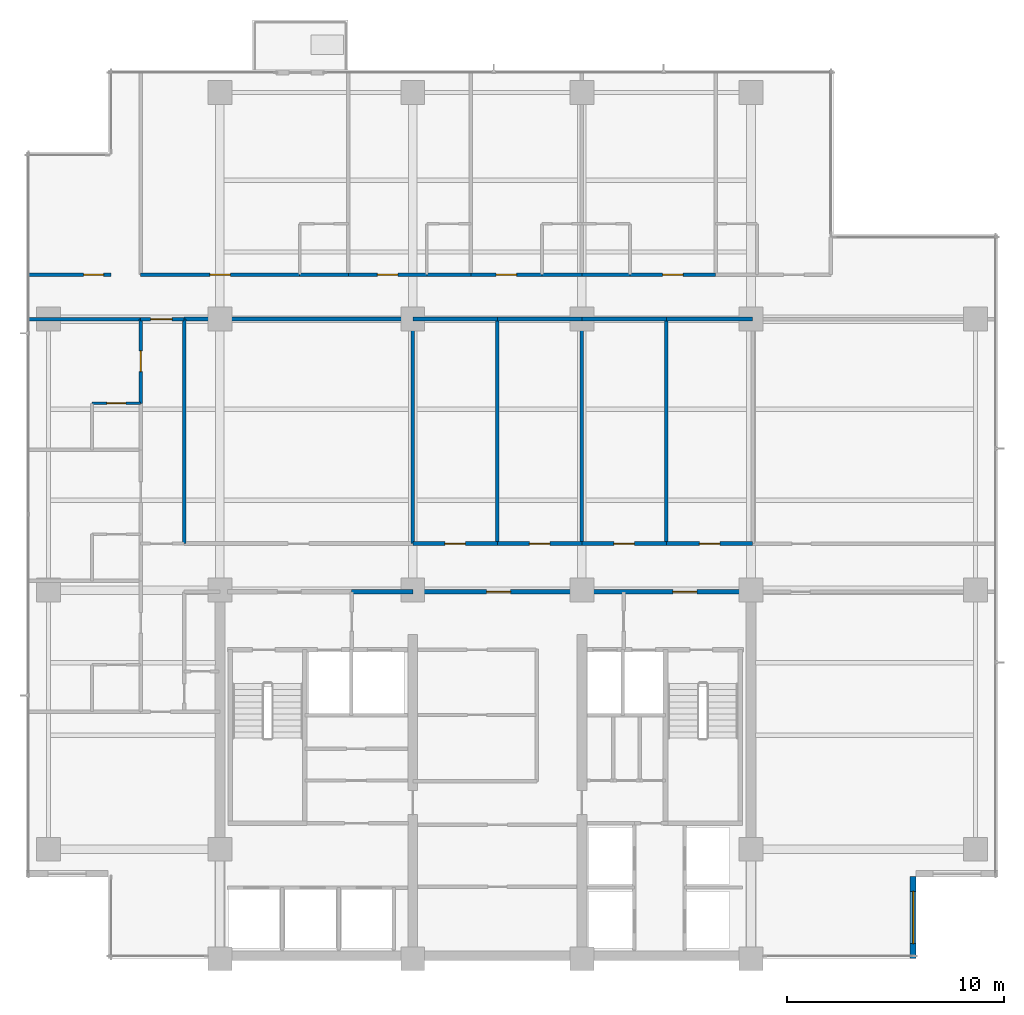
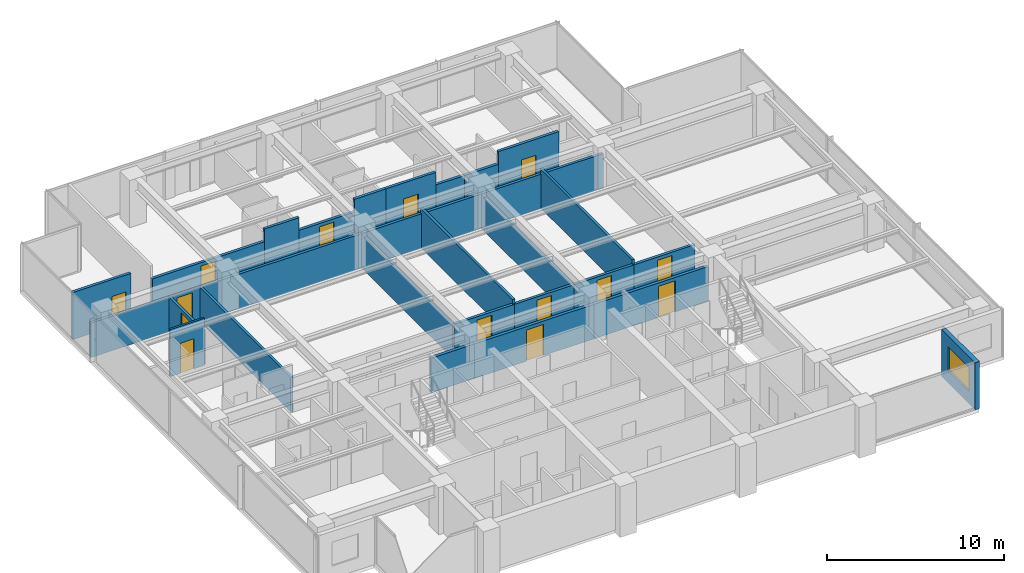
# One storey, part 9 of 14: 31 walls, 14 doors, 1 window, 15 openings.
"""IFC4 building model written with IfcOpenShell, lengths in metres."""

from ifc_helpers import new_model, si_unit, direction, frame, frame_2d, origin, place, context, subcontext, project, spatial, rectangle, extrude, material, layer, layer_set, type_object, element, fill, save


model = new_model("IFC4")

# Units and contexts
model_context = context("Model", 3, precision=1e-05, world=origin(), true_north=direction((0.0, 1.0)))
body_context = subcontext(model_context, "Body", "Model", "MODEL_VIEW")
ifc_project = project(units=[si_unit("LENGTHUNIT", "METRE"), si_unit("AREAUNIT", "SQUARE_METRE"), si_unit("VOLUMEUNIT", "CUBIC_METRE"), si_unit("PLANEANGLEUNIT", "RADIAN"), si_unit("MASSUNIT", "GRAM", prefix="KILO")], contexts=[model_context])

# Site, building, storey
site_placement = place(None, origin())
site = spatial("IfcSite", under=ifc_project, at=site_placement, CompositionType="ELEMENT")
building_placement = place(site_placement, origin())
building = spatial("IfcBuilding", under=site, at=building_placement, Name="Qalmaran Belvedere Hotel", CompositionType="ELEMENT")
storey_placement = place(building_placement, frame((0.0, 0.0, 156.10009765625)))
storey = spatial("IfcBuildingStorey", under=building, at=storey_placement, Name="L39", CompositionType="ELEMENT", Elevation=156.10009765625)

# Wall, opening, window
ifc_material_1 = material(Name="Anodised Bronze Cladding")
ifc_layer_1 = layer(ifc_material_1, 0.280029296875, Name="Anodised Bronze Cladding")
ifc_layer_set_1 = layer_set([ifc_layer_1], Name="Anodised Bronze Cladding")
wall_type_1 = type_object("IfcWallType", Name="WL-EXT-BRNZ-280", PredefinedType="SOLIDWALL", material=ifc_layer_set_1)
wall_1_placement = place(storey_placement, frame((52.280029296875, 3.5, 0.0), z_axis=(0.0, 0.0, 1.0), x_axis=(0.0, 1.0, 0.0)))
wall_1 = element("IfcWall", 1, at=wall_1_placement, inside=storey, type_object=wall_type_1, Name="L39 Corner Notch Wall 1", PredefinedType="SOLIDWALL", context=body_context, shape_type="SweptSolid", body=[
    extrude(rectangle(XDim=3.800048828125, YDim=0.280029296875, at=frame_2d((1.89990234375, 0.0))), origin(), (0.0, 0.0, 1.0), 3.25),
])
opening_1_placement = place(wall_1_placement, frame((0.699951171875, 0.0, 0.85009765625)))
opening_1 = element("IfcOpeningElement", 2, at=opening_1_placement, cuts=wall_1, Name="Opening W-N24", PredefinedType="OPENING", context=body_context, shape_type="SweptSolid", body=[
    extrude(rectangle(XDim=2.39990234375, YDim=1.64990234375, at=frame_2d((1.199951171875, 0.824951171875))), frame((0.0, 0.14990234375, 0.0), z_axis=(0.0, -1.0, 0.0), x_axis=(1.0, 0.0, 0.0)), (0.0, 0.0, 1.0), 0.300048828125),
])
ifc_material_2 = material(Name="Solar-Control Double Glazing", Category="glass")
window_type = type_object("IfcWindowType", Name="WN-NTC-2400X1650", PartitioningType="SINGLE_PANEL", PredefinedType="WINDOW", material=ifc_material_2)
window_placement = place(opening_1_placement, origin())
window = element("IfcWindow", 3, at=window_placement, inside=storey, type_object=window_type, Name="L39 Corner Notch Window 1", OverallHeight=1.64990234375, OverallWidth=2.39990234375, PartitioningType="SINGLE_PANEL", PredefinedType="WINDOW", context=body_context, shape_type="SweptSolid", body=[
    extrude(rectangle(XDim=2.39990234375, YDim=1.64990234375, at=frame_2d((1.199951171875, 0.824951171875))), frame((0.0, 0.030029296875, 0.0), z_axis=(0.0, -1.0, 0.0), x_axis=(1.0, 0.0, 0.0)), (0.0, 0.0, 1.0), 0.06005859375),
])
fill(opening_1, window)

# Wall, opening, door
ifc_material_3 = material(Name="Moisture-Resistant Gypsum")
ifc_layer_2 = layer(ifc_material_3, 0.1201171875, Name="Moisture-Resistant Gypsum")
ifc_layer_set_2 = layer_set([ifc_layer_2], Name="Moisture-Resistant Gypsum")
wall_type_2 = type_object("IfcWallType", Name="WL-INT-120-BATH", PredefinedType="PARTITIONING", material=ifc_layer_set_2)
wall_2_placement = place(storey_placement, frame((14.39990234375, 29.11669921875, 0.0), z_axis=(0.0, 0.0, 1.0), x_axis=(1.0, 0.0, 0.0)))
wall_2 = element("IfcWall", 4, at=wall_2_placement, inside=storey, type_object=wall_type_2, Name="L39 Partition WL-L39-WBN02", PredefinedType="PARTITIONING", context=body_context, shape_type="SweptSolid", body=[
    extrude(rectangle(XDim=2.25, YDim=0.1201171875, at=frame_2d((1.125, 0.0))), origin(), (0.0, 0.0, 1.0), 3.25),
])
opening_2_placement = place(wall_2_placement, frame((1.56494140625, 0.0, 0.0), z_axis=(0.0, 0.0, 1.0), x_axis=(-1.0, 0.0, 0.0)))
opening_2 = element("IfcOpeningElement", 5, at=opening_2_placement, cuts=wall_2, Name="Opening D-BATH", PredefinedType="OPENING", context=body_context, shape_type="SweptSolid", body=[
    extrude(rectangle(XDim=0.8798828125, YDim=2.080078125, at=frame_2d((0.43994140625, 1.0400390625))), frame((0.0, 0.070068359375, 0.0), z_axis=(0.0, -1.0, 0.0), x_axis=(1.0, 0.0, 0.0)), (0.0, 0.0, 1.0), 0.14013671875),
])
ifc_material_4 = material(Name="Engineered Oak Veneer")
door_type_1 = type_object("IfcDoorType", Name="DR-INT-BATH-880X2080", OperationType="NOTDEFINED", PredefinedType="DOOR", material=ifc_material_4)
door_1_placement = place(opening_2_placement, origin())
door_1 = element("IfcDoor", 6, at=door_1_placement, inside=storey, type_object=door_type_1, Name="L39 W Ensuite Door 03", OperationType="SINGLE_SWING_RIGHT", OverallHeight=2.080078125, OverallWidth=0.8798828125, PredefinedType="DOOR", context=body_context, shape_type="SweptSolid", body=[
    extrude(rectangle(XDim=0.8798828125, YDim=2.080078125, at=frame_2d((0.43994140625, 1.0400390625))), frame((0.0, 0.02490234375, 0.0), z_axis=(0.0, -1.0, 0.0), x_axis=(1.0, 0.0, 0.0)), (0.0, 0.0, 1.0), 0.050048828125),
])
fill(opening_2, door_1)

ifc_material_5 = material(Name="Gypsum Stud Partition")
ifc_layer_3 = layer(ifc_material_5, 0.14990234375, Name="Gypsum Stud Partition")
ifc_layer_set_3 = layer_set([ifc_layer_3], Name="Gypsum Stud Partition")
wall_type_3 = type_object("IfcWallType", Name="WL-INT-150-EI60", PredefinedType="PARTITIONING", material=ifc_layer_set_3)
wall_3_placement = place(storey_placement, frame((16.64990234375, 33.0, 0.0), z_axis=(0.0, 0.0, 1.0), x_axis=(1.0, 0.0, 0.0)))
wall_3 = element("IfcWall", 7, at=wall_3_placement, inside=storey, type_object=wall_type_3, Name="L39 Partition WL-L39-XCW2", PredefinedType="PARTITIONING", context=body_context, shape_type="SweptSolid", body=[
    extrude(rectangle(XDim=2.0, YDim=0.14990234375, at=frame_2d((1.0, 0.0))), origin(), (0.0, 0.0, 1.0), 2.3798828125),
])
opening_3_placement = place(wall_3_placement, frame((0.449951171875, 0.0, 0.0)))
opening_3 = element("IfcOpeningElement", 8, at=opening_3_placement, cuts=wall_3, Name="Opening FD90B", PredefinedType="OPENING", context=body_context, shape_type="SweptSolid", body=[
    extrude(rectangle(XDim=1.0, YDim=2.14990234375, at=frame_2d((0.5, 1.074951171875))), frame((0.0, 0.0849609375, 0.0), z_axis=(0.0, -1.0, 0.0), x_axis=(1.0, 0.0, 0.0)), (0.0, 0.0, 1.0), 0.169921875),
])
ifc_material_6 = material(Name="Steel S355JR", Category="steel")
door_type_2 = type_object("IfcDoorType", Name="DR-FD90B-1000X2150", OperationType="NOTDEFINED", PredefinedType="DOOR", material=ifc_material_6)
door_2_placement = place(opening_3_placement, origin())
door_2 = element("IfcDoor", 9, at=door_2_placement, inside=storey, type_object=door_type_2, Name="L39 West Corridor Smoke Door N", OperationType="SINGLE_SWING_RIGHT", OverallHeight=2.14990234375, OverallWidth=1.0, PredefinedType="DOOR", context=body_context, shape_type="SweptSolid", body=[
    extrude(rectangle(XDim=1.0, YDim=2.14990234375, at=frame_2d((0.5, 1.074951171875))), frame((0.0, 0.02490234375, 0.0), z_axis=(0.0, -1.0, 0.0), x_axis=(1.0, 0.0, 0.0)), (0.0, 0.0, 1.0), 0.050048828125),
])
fill(opening_3, door_2)

# Walls
ifc_layer_4 = layer(ifc_material_5, 0.159912109375, Name="Gypsum Stud Partition")
ifc_layer_set_4 = layer_set([ifc_layer_4], Name="Gypsum Stud Partition")
wall_type_4 = type_object("IfcWallType", Name="WL-INT-160-EI60", PredefinedType="PARTITIONING", material=ifc_layer_set_4)
for number, where, z_axis, x_axis, name in (
    (10, (18.64990234375, 22.64990234375, 0.0), (0.0, 0.0, 1.0), (0.0, 1.0, 0.0), "L39 Partition WL-L39-MIDVL"),
    (11, (29.199951171875, 22.64990234375, 0.0), (0.0, 0.0, 1.0), (0.0, 1.0, 0.0), "L39 Partition WL-L39-MIDVR1"),
):
    element("IfcWall", number, at=place(storey_placement, frame(where, z_axis=z_axis, x_axis=x_axis)), inside=storey, type_object=wall_type_4, Name=name, PredefinedType="PARTITIONING", context=body_context, shape_type="SweptSolid", body=[
        extrude(rectangle(XDim=10.35009765625, YDim=0.159912109375, at=frame_2d((5.175048828125, 0.0))), origin(), (0.0, 0.0, 1.0), 2.3798828125),
    ])
wall_4_placement = place(storey_placement, frame((33.10009765625, 22.64990234375, 0.0), z_axis=(0.0, 0.0, 1.0), x_axis=(0.0, 1.0, 0.0)))
element("IfcWall", 12, at=wall_4_placement, inside=storey, type_object=wall_type_4, Name="L39 Partition WL-L39-MIDVR2", PredefinedType="PARTITIONING", context=body_context, shape_type="SweptSolid", body=[
    extrude(rectangle(XDim=10.35009765625, YDim=0.159912109375, at=frame_2d((5.175048828125, 0.0))), origin(), (0.0, 0.0, 1.0), 2.69189453125),
])
wall_5_placement = place(storey_placement, frame((37.0, 22.64990234375, 0.0), z_axis=(0.0, 0.0, 1.0), x_axis=(0.0, 1.0, 0.0)))
element("IfcWall", 13, at=wall_5_placement, inside=storey, type_object=wall_type_4, Name="L39 Partition WL-L39-MIDVR3", PredefinedType="PARTITIONING", context=body_context, shape_type="SweptSolid", body=[
    extrude(rectangle(XDim=10.35009765625, YDim=0.159912109375, at=frame_2d((5.175048828125, 0.0))), origin(), (0.0, 0.0, 1.0), 2.3798828125),
])
wall_6_placement = place(storey_placement, frame((40.89990234375, 22.64990234375, 0.0), z_axis=(0.0, 0.0, 1.0), x_axis=(0.0, 1.0, 0.0)))
element("IfcWall", 14, at=wall_6_placement, inside=storey, type_object=wall_type_4, Name="L39 Partition WL-L39-MIDVR4", PredefinedType="PARTITIONING", context=body_context, shape_type="SweptSolid", body=[
    extrude(rectangle(XDim=10.35009765625, YDim=0.159912109375, at=frame_2d((5.175048828125, 0.0))), origin(), (0.0, 0.0, 1.0), 2.69189453125),
])
wall_7_placement = place(storey_placement, frame((11.469970703125, 33.0, 0.0), z_axis=(0.0, 0.0, 1.0), x_axis=(1.0, 0.0, 0.0)))
element("IfcWall", 15, at=wall_7_placement, inside=storey, type_object=wall_type_4, Name="L39 Partition WL-L39-WU02", PredefinedType="PARTITIONING", context=body_context, shape_type="SweptSolid", body=[
    extrude(rectangle(XDim=5.179931640625, YDim=0.159912109375, at=frame_2d((2.58984375, 0.0))), origin(), (0.0, 0.0, 1.0), 2.3798828125),
])
ifc_layer_5 = layer(ifc_material_5, 0.179931640625, Name="Gypsum Stud Partition")
ifc_layer_set_5 = layer_set([ifc_layer_5], Name="Gypsum Stud Partition")
wall_type_5 = type_object("IfcWallType", Name="WL-INT-180-EI60", PredefinedType="PARTITIONING", material=ifc_layer_set_5)
wall_8_placement = place(storey_placement, frame((18.64990234375, 33.0, 0.0), z_axis=(0.0, 0.0, 1.0), x_axis=(1.0, 0.0, 0.0)))
element("IfcWall", 16, at=wall_8_placement, inside=storey, type_object=wall_type_5, Name="L39 Partition WL-L39-MIDO1", PredefinedType="PARTITIONING", context=body_context, shape_type="SweptSolid", body=[
    extrude(rectangle(XDim=10.550048828125, YDim=0.179931640625, at=frame_2d((5.27490234375, 0.0))), origin(), (0.0, 0.0, 1.0), 2.3798828125),
])

# Wall, opening, door
wall_9_placement = place(storey_placement, frame((29.199951171875, 22.64990234375, 0.0), z_axis=(0.0, 0.0, 1.0), x_axis=(1.0, 0.0, 0.0)))
wall_9 = element("IfcWall", 17, at=wall_9_placement, inside=storey, type_object=wall_type_5, Name="L39 Partition WL-L39-MIDD2", PredefinedType="PARTITIONING", context=body_context, shape_type="SweptSolid", body=[
    extrude(rectangle(XDim=3.900146484375, YDim=0.179931640625, at=frame_2d((1.9501953125, 0.0))), origin(), (0.0, 0.0, 1.0), 2.3798828125),
])
opening_4_placement = place(wall_9_placement, frame((1.47509765625, 0.0, 0.0)))
opening_4 = element("IfcOpeningElement", 18, at=opening_4_placement, cuts=wall_9, Name="Opening FD60", PredefinedType="OPENING", context=body_context, shape_type="SweptSolid", body=[
    extrude(rectangle(XDim=0.949951171875, YDim=2.14990234375, at=frame_2d((0.47509765625, 1.074951171875))), frame((0.0, 0.10009765625, 0.0), z_axis=(0.0, -1.0, 0.0), x_axis=(1.0, 0.0, 0.0)), (0.0, 0.0, 1.0), 0.199951171875),
])
door_type_3 = type_object("IfcDoorType", Name="DR-FD60-950X2150", OperationType="NOTDEFINED", PredefinedType="DOOR", material=ifc_material_4)
door_3_placement = place(opening_4_placement, origin())
door_3 = element("IfcDoor", 19, at=door_3_placement, inside=storey, type_object=door_type_3, Name="L39 Valet Closet Door", OperationType="SINGLE_SWING_RIGHT", OverallHeight=2.14990234375, OverallWidth=0.949951171875, PredefinedType="DOOR", context=body_context, shape_type="SweptSolid", body=[
    extrude(rectangle(XDim=0.949951171875, YDim=2.14990234375, at=frame_2d((0.47509765625, 1.074951171875))), frame((0.0, 0.02490234375, 0.0), z_axis=(0.0, -1.0, 0.0), x_axis=(1.0, 0.0, 0.0)), (0.0, 0.0, 1.0), 0.050048828125),
])
fill(opening_4, door_3)

# Wall
wall_10_placement = place(storey_placement, frame((29.199951171875, 33.0, 0.0), z_axis=(0.0, 0.0, 1.0), x_axis=(1.0, 0.0, 0.0)))
element("IfcWall", 20, at=wall_10_placement, inside=storey, type_object=wall_type_5, Name="L39 Partition WL-L39-MIDO2", PredefinedType="PARTITIONING", context=body_context, shape_type="SweptSolid", body=[
    extrude(rectangle(XDim=3.900146484375, YDim=0.179931640625, at=frame_2d((1.9501953125, 0.0))), origin(), (0.0, 0.0, 1.0), 2.3798828125),
])

# Wall, opening, door
wall_11_placement = place(storey_placement, frame((33.10009765625, 22.64990234375, 0.0), z_axis=(0.0, 0.0, 1.0), x_axis=(1.0, 0.0, 0.0)))
wall_11 = element("IfcWall", 21, at=wall_11_placement, inside=storey, type_object=wall_type_5, Name="L39 Partition WL-L39-MIDD3", PredefinedType="PARTITIONING", context=body_context, shape_type="SweptSolid", body=[
    extrude(rectangle(XDim=3.89990234375, YDim=0.179931640625, at=frame_2d((1.949951171875, 0.0))), origin(), (0.0, 0.0, 1.0), 2.3798828125),
])
opening_5_placement = place(wall_11_placement, frame((1.47509765625, 0.0, 0.0)))
opening_5 = element("IfcOpeningElement", 22, at=opening_5_placement, cuts=wall_11, Name="Opening FD60", PredefinedType="OPENING", context=body_context, shape_type="SweptSolid", body=[
    extrude(rectangle(XDim=0.949951171875, YDim=2.14990234375, at=frame_2d((0.47509765625, 1.074951171875))), frame((0.0, 0.10009765625, 0.0), z_axis=(0.0, -1.0, 0.0), x_axis=(1.0, 0.0, 0.0)), (0.0, 0.0, 1.0), 0.199951171875),
])
door_4_placement = place(opening_5_placement, origin())
door_4 = element("IfcDoor", 23, at=door_4_placement, inside=storey, type_object=door_type_3, Name="L39 Luggage Store Door", OperationType="SINGLE_SWING_LEFT", OverallHeight=2.14990234375, OverallWidth=0.949951171875, PredefinedType="DOOR", context=body_context, shape_type="SweptSolid", body=[
    extrude(rectangle(XDim=0.949951171875, YDim=2.14990234375, at=frame_2d((0.47509765625, 1.074951171875))), frame((0.0, 0.02490234375, 0.0), z_axis=(0.0, -1.0, 0.0), x_axis=(1.0, 0.0, 0.0)), (0.0, 0.0, 1.0), 0.050048828125),
])
fill(opening_5, door_4)

# Wall
wall_12_placement = place(storey_placement, frame((33.10009765625, 33.0, 0.0), z_axis=(0.0, 0.0, 1.0), x_axis=(1.0, 0.0, 0.0)))
element("IfcWall", 24, at=wall_12_placement, inside=storey, type_object=wall_type_5, Name="L39 Partition WL-L39-MIDO3", PredefinedType="PARTITIONING", context=body_context, shape_type="SweptSolid", body=[
    extrude(rectangle(XDim=3.89990234375, YDim=0.179931640625, at=frame_2d((1.949951171875, 0.0))), origin(), (0.0, 0.0, 1.0), 2.3798828125),
])

# Wall, opening, door
wall_13_placement = place(storey_placement, frame((37.0, 22.64990234375, 0.0), z_axis=(0.0, 0.0, 1.0), x_axis=(1.0, 0.0, 0.0)))
wall_13 = element("IfcWall", 25, at=wall_13_placement, inside=storey, type_object=wall_type_5, Name="L39 Partition WL-L39-MIDD4", PredefinedType="PARTITIONING", context=body_context, shape_type="SweptSolid", body=[
    extrude(rectangle(XDim=3.89990234375, YDim=0.179931640625, at=frame_2d((1.949951171875, 0.0))), origin(), (0.0, 0.0, 1.0), 2.3798828125),
])
opening_6_placement = place(wall_13_placement, frame((1.47509765625, 0.0, 0.0)))
opening_6 = element("IfcOpeningElement", 26, at=opening_6_placement, cuts=wall_13, Name="Opening FD60", PredefinedType="OPENING", context=body_context, shape_type="SweptSolid", body=[
    extrude(rectangle(XDim=0.949951171875, YDim=2.14990234375, at=frame_2d((0.47509765625, 1.074951171875))), frame((0.0, 0.10009765625, 0.0), z_axis=(0.0, -1.0, 0.0), x_axis=(1.0, 0.0, 0.0)), (0.0, 0.0, 1.0), 0.199951171875),
])
door_5_placement = place(opening_6_placement, origin())
door_5 = element("IfcDoor", 27, at=door_5_placement, inside=storey, type_object=door_type_3, Name="L39 Linen Store Door", OperationType="SINGLE_SWING_RIGHT", OverallHeight=2.14990234375, OverallWidth=0.949951171875, PredefinedType="DOOR", context=body_context, shape_type="SweptSolid", body=[
    extrude(rectangle(XDim=0.949951171875, YDim=2.14990234375, at=frame_2d((0.47509765625, 1.074951171875))), frame((0.0, 0.02490234375, 0.0), z_axis=(0.0, -1.0, 0.0), x_axis=(1.0, 0.0, 0.0)), (0.0, 0.0, 1.0), 0.050048828125),
])
fill(opening_6, door_5)

# Wall
wall_14_placement = place(storey_placement, frame((37.0, 33.0, 0.0), z_axis=(0.0, 0.0, 1.0), x_axis=(1.0, 0.0, 0.0)))
element("IfcWall", 28, at=wall_14_placement, inside=storey, type_object=wall_type_5, Name="L39 Partition WL-L39-MIDO4", PredefinedType="PARTITIONING", context=body_context, shape_type="SweptSolid", body=[
    extrude(rectangle(XDim=3.89990234375, YDim=0.179931640625, at=frame_2d((1.949951171875, 0.0))), origin(), (0.0, 0.0, 1.0), 2.3798828125),
])

# Wall, opening, door
wall_15_placement = place(storey_placement, frame((40.89990234375, 22.64990234375, 0.0), z_axis=(0.0, 0.0, 1.0), x_axis=(1.0, 0.0, 0.0)))
wall_15 = element("IfcWall", 29, at=wall_15_placement, inside=storey, type_object=wall_type_5, Name="L39 Partition WL-L39-MIDD5", PredefinedType="PARTITIONING", context=body_context, shape_type="SweptSolid", body=[
    extrude(rectangle(XDim=3.97998046875, YDim=0.179931640625, at=frame_2d((1.989990234375, 0.0))), origin(), (0.0, 0.0, 1.0), 2.3798828125),
])
opening_7_placement = place(wall_15_placement, frame((1.514892578125, 0.0, 0.0)))
opening_7 = element("IfcOpeningElement", 30, at=opening_7_placement, cuts=wall_15, Name="Opening FD60", PredefinedType="OPENING", context=body_context, shape_type="SweptSolid", body=[
    extrude(rectangle(XDim=0.949951171875, YDim=2.14990234375, at=frame_2d((0.47509765625, 1.074951171875))), frame((0.0, 0.10009765625, 0.0), z_axis=(0.0, -1.0, 0.0), x_axis=(1.0, 0.0, 0.0)), (0.0, 0.0, 1.0), 0.199951171875),
])
door_6_placement = place(opening_7_placement, origin())
door_6 = element("IfcDoor", 31, at=door_6_placement, inside=storey, type_object=door_type_3, Name="L39 Tableware Store Door", OperationType="SINGLE_SWING_LEFT", OverallHeight=2.14990234375, OverallWidth=0.949951171875, PredefinedType="DOOR", context=body_context, shape_type="SweptSolid", body=[
    extrude(rectangle(XDim=0.949951171875, YDim=2.14990234375, at=frame_2d((0.47509765625, 1.074951171875))), frame((0.0, 0.02490234375, 0.0), z_axis=(0.0, -1.0, 0.0), x_axis=(1.0, 0.0, 0.0)), (0.0, 0.0, 1.0), 0.050048828125),
])
fill(opening_7, door_6)

# Walls
wall_16_placement = place(storey_placement, frame((40.89990234375, 33.0, 0.0), z_axis=(0.0, 0.0, 1.0), x_axis=(1.0, 0.0, 0.0)))
element("IfcWall", 32, at=wall_16_placement, inside=storey, type_object=wall_type_5, Name="L39 Partition WL-L39-MIDO5", PredefinedType="PARTITIONING", context=body_context, shape_type="SweptSolid", body=[
    extrude(rectangle(XDim=3.97998046875, YDim=0.179931640625, at=frame_2d((1.989990234375, 0.0))), origin(), (0.0, 0.0, 1.0), 2.3798828125),
])
wall_17_placement = place(storey_placement, frame((23.979248046875, 35.050048828125, 0.0), z_axis=(0.0, 0.0, 1.0), x_axis=(1.0, 0.0, 0.0)))
element("IfcWall", 33, at=wall_17_placement, inside=storey, type_object=wall_type_5, Name="L39 Partition WL-L39-NBC00", PredefinedType="PARTITIONING", context=body_context, shape_type="SweptSolid", body=[
    extrude(rectangle(XDim=2.25, YDim=0.179931640625, at=frame_2d((1.125, 0.0))), origin(), (0.0, 0.0, 1.0), 3.25),
])

# Wall, opening, door
wall_18_placement = place(storey_placement, frame((16.64990234375, 35.050048828125, 0.0), z_axis=(0.0, 0.0, 1.0), x_axis=(1.0, 0.0, 0.0)))
wall_18 = element("IfcWall", 34, at=wall_18_placement, inside=storey, type_object=wall_type_5, Name="L39 Partition WL-L39-NEC00", PredefinedType="PARTITIONING", context=body_context, shape_type="SweptSolid", body=[
    extrude(rectangle(XDim=7.329345703125, YDim=0.179931640625, at=frame_2d((3.66455078125, 0.0))), origin(), (0.0, 0.0, 1.0), 2.3798828125),
])
opening_8_placement = place(wall_18_placement, frame((3.189697265625, 0.0, 0.0)))
opening_8 = element("IfcOpeningElement", 35, at=opening_8_placement, cuts=wall_18, Name="Opening FD60", PredefinedType="OPENING", context=body_context, shape_type="SweptSolid", body=[
    extrude(rectangle(XDim=0.949951171875, YDim=2.14990234375, at=frame_2d((0.47509765625, 1.074951171875))), frame((0.0, 0.10009765625, 0.0), z_axis=(0.0, -1.0, 0.0), x_axis=(1.0, 0.0, 0.0)), (0.0, 0.0, 1.0), 0.199951171875),
])
door_7_placement = place(opening_8_placement, origin())
door_7 = element("IfcDoor", 36, at=door_7_placement, inside=storey, type_object=door_type_3, Name="L39 Guest Entrance Door N01", OperationType="SINGLE_SWING_LEFT", OverallHeight=2.14990234375, OverallWidth=0.949951171875, PredefinedType="DOOR", context=body_context, shape_type="SweptSolid", body=[
    extrude(rectangle(XDim=0.949951171875, YDim=2.14990234375, at=frame_2d((0.47509765625, 1.074951171875))), frame((0.0, 0.02490234375, 0.0), z_axis=(0.0, -1.0, 0.0), x_axis=(1.0, 0.0, 0.0)), (0.0, 0.0, 1.0), 0.050048828125),
])
fill(opening_8, door_7)

# Wall
wall_19_placement = place(storey_placement, frame((29.844970703125, 35.050048828125, 0.0), z_axis=(0.0, 0.0, 1.0), x_axis=(1.0, 0.0, 0.0)))
element("IfcWall", 37, at=wall_19_placement, inside=storey, type_object=wall_type_5, Name="L39 Partition WL-L39-NBC01", PredefinedType="PARTITIONING", context=body_context, shape_type="SweptSolid", body=[
    extrude(rectangle(XDim=2.030029296875, YDim=0.179931640625, at=frame_2d((1.01513671875, 0.0))), origin(), (0.0, 0.0, 1.0), 3.25),
])

# Wall, opening, door
wall_20_placement = place(storey_placement, frame((26.229248046875, 35.050048828125, 0.0), z_axis=(0.0, 0.0, 1.0), x_axis=(1.0, 0.0, 0.0)))
wall_20 = element("IfcWall", 38, at=wall_20_placement, inside=storey, type_object=wall_type_5, Name="L39 Partition WL-L39-NEC01", PredefinedType="PARTITIONING", context=body_context, shape_type="SweptSolid", body=[
    extrude(rectangle(XDim=3.61572265625, YDim=0.179931640625, at=frame_2d((1.807861328125, 0.0))), origin(), (0.0, 0.0, 1.0), 2.3798828125),
])
opening_9_placement = place(wall_20_placement, frame((1.3330078125, 0.0, 0.0)))
opening_9 = element("IfcOpeningElement", 39, at=opening_9_placement, cuts=wall_20, Name="Opening FD60", PredefinedType="OPENING", context=body_context, shape_type="SweptSolid", body=[
    extrude(rectangle(XDim=0.949951171875, YDim=2.14990234375, at=frame_2d((0.47509765625, 1.074951171875))), frame((0.0, 0.10009765625, 0.0), z_axis=(0.0, -1.0, 0.0), x_axis=(1.0, 0.0, 0.0)), (0.0, 0.0, 1.0), 0.199951171875),
])
door_8_placement = place(opening_9_placement, origin())
door_8 = element("IfcDoor", 40, at=door_8_placement, inside=storey, type_object=door_type_3, Name="L39 Guest Entrance Door N02", OperationType="SINGLE_SWING_LEFT", OverallHeight=2.14990234375, OverallWidth=0.949951171875, PredefinedType="DOOR", context=body_context, shape_type="SweptSolid", body=[
    extrude(rectangle(XDim=0.949951171875, YDim=2.14990234375, at=frame_2d((0.47509765625, 1.074951171875))), frame((0.0, 0.02490234375, 0.0), z_axis=(0.0, -1.0, 0.0), x_axis=(1.0, 0.0, 0.0)), (0.0, 0.0, 1.0), 0.050048828125),
])
fill(opening_9, door_8)

# Wall
wall_21_placement = place(storey_placement, frame((35.159912109375, 35.050048828125, 0.0), z_axis=(0.0, 0.0, 1.0), x_axis=(1.0, 0.0, 0.0)))
element("IfcWall", 41, at=wall_21_placement, inside=storey, type_object=wall_type_5, Name="L39 Partition WL-L39-NBC02", PredefinedType="PARTITIONING", context=body_context, shape_type="SweptSolid", body=[
    extrude(rectangle(XDim=1.840087890625, YDim=0.179931640625, at=frame_2d((0.919921875, 0.0))), origin(), (0.0, 0.0, 1.0), 2.3798828125),
])

# Wall, opening, door
wall_22_placement = place(storey_placement, frame((31.875, 35.050048828125, 0.0), z_axis=(0.0, 0.0, 1.0), x_axis=(1.0, 0.0, 0.0)))
wall_22 = element("IfcWall", 42, at=wall_22_placement, inside=storey, type_object=wall_type_5, Name="L39 Partition WL-L39-NEC02", PredefinedType="PARTITIONING", context=body_context, shape_type="SweptSolid", body=[
    extrude(rectangle(XDim=3.284912109375, YDim=0.179931640625, at=frame_2d((1.642578125, 0.0))), origin(), (0.0, 0.0, 1.0), 3.25),
])
opening_10_placement = place(wall_22_placement, frame((1.16748046875, 0.0, 0.0)))
opening_10 = element("IfcOpeningElement", 43, at=opening_10_placement, cuts=wall_22, Name="Opening FD60", PredefinedType="OPENING", context=body_context, shape_type="SweptSolid", body=[
    extrude(rectangle(XDim=0.949951171875, YDim=2.14990234375, at=frame_2d((0.47509765625, 1.074951171875))), frame((0.0, 0.10009765625, 0.0), z_axis=(0.0, -1.0, 0.0), x_axis=(1.0, 0.0, 0.0)), (0.0, 0.0, 1.0), 0.199951171875),
])
door_9_placement = place(opening_10_placement, origin())
door_9 = element("IfcDoor", 44, at=door_9_placement, inside=storey, type_object=door_type_3, Name="L39 Guest Entrance Door N03", OperationType="SINGLE_SWING_LEFT", OverallHeight=2.14990234375, OverallWidth=0.949951171875, PredefinedType="DOOR", context=body_context, shape_type="SweptSolid", body=[
    extrude(rectangle(XDim=0.949951171875, YDim=2.14990234375, at=frame_2d((0.47509765625, 1.074951171875))), frame((0.0, 0.02490234375, 0.0), z_axis=(0.0, -1.0, 0.0), x_axis=(1.0, 0.0, 0.0)), (0.0, 0.0, 1.0), 0.050048828125),
])
fill(opening_10, door_9)

# Wall
wall_23_placement = place(storey_placement, frame((37.0, 35.050048828125, 0.0), z_axis=(0.0, 0.0, 1.0), x_axis=(1.0, 0.0, 0.0)))
element("IfcWall", 45, at=wall_23_placement, inside=storey, type_object=wall_type_5, Name="L39 Partition WL-L39-NBC03", PredefinedType="PARTITIONING", context=body_context, shape_type="SweptSolid", body=[
    extrude(rectangle(XDim=2.219970703125, YDim=0.179931640625, at=frame_2d((1.10986328125, 0.0))), origin(), (0.0, 0.0, 1.0), 2.3798828125),
])

# Wall, opening, door
wall_24_placement = place(storey_placement, frame((39.219970703125, 35.050048828125, 0.0), z_axis=(0.0, 0.0, 1.0), x_axis=(1.0, 0.0, 0.0)))
wall_24 = element("IfcWall", 46, at=wall_24_placement, inside=storey, type_object=wall_type_5, Name="L39 Partition WL-L39-NEC03", PredefinedType="PARTITIONING", context=body_context, shape_type="SweptSolid", body=[
    extrude(rectangle(XDim=3.946533203125, YDim=0.179931640625, at=frame_2d((1.97314453125, 0.0))), origin(), (0.0, 0.0, 1.0), 3.25),
])
opening_11_placement = place(wall_24_placement, frame((1.498291015625, 0.0, 0.0)))
opening_11 = element("IfcOpeningElement", 47, at=opening_11_placement, cuts=wall_24, Name="Opening FD60", PredefinedType="OPENING", context=body_context, shape_type="SweptSolid", body=[
    extrude(rectangle(XDim=0.949951171875, YDim=2.14990234375, at=frame_2d((0.47509765625, 1.074951171875))), frame((0.0, 0.10009765625, 0.0), z_axis=(0.0, -1.0, 0.0), x_axis=(1.0, 0.0, 0.0)), (0.0, 0.0, 1.0), 0.199951171875),
])
door_10_placement = place(opening_11_placement, origin())
door_10 = element("IfcDoor", 48, at=door_10_placement, inside=storey, type_object=door_type_3, Name="L39 Guest Entrance Door N04", OperationType="SINGLE_SWING_LEFT", OverallHeight=2.14990234375, OverallWidth=0.949951171875, PredefinedType="DOOR", context=body_context, shape_type="SweptSolid", body=[
    extrude(rectangle(XDim=0.949951171875, YDim=2.14990234375, at=frame_2d((0.47509765625, 1.074951171875))), frame((0.0, 0.02490234375, 0.0), z_axis=(0.0, -1.0, 0.0), x_axis=(1.0, 0.0, 0.0)), (0.0, 0.0, 1.0), 0.050048828125),
])
fill(opening_11, door_10)

wall_25_placement = place(storey_placement, frame((16.64990234375, 29.11669921875, 0.0), z_axis=(0.0, 0.0, 1.0), x_axis=(0.0, 1.0, 0.0)))
wall_25 = element("IfcWall", 49, at=wall_25_placement, inside=storey, type_object=wall_type_5, Name="L39 Partition WL-L39-WEC02", PredefinedType="PARTITIONING", context=body_context, shape_type="SweptSolid", body=[
    extrude(rectangle(XDim=3.88330078125, YDim=0.179931640625, at=frame_2d((1.941650390625, 0.0))), origin(), (0.0, 0.0, 1.0), 2.3798828125),
])
opening_12_placement = place(wall_25_placement, frame((1.466552734375, 0.0, 0.0)))
opening_12 = element("IfcOpeningElement", 50, at=opening_12_placement, cuts=wall_25, Name="Opening FD60", PredefinedType="OPENING", context=body_context, shape_type="SweptSolid", body=[
    extrude(rectangle(XDim=0.949951171875, YDim=2.14990234375, at=frame_2d((0.47509765625, 1.074951171875))), frame((0.0, 0.10009765625, 0.0), z_axis=(0.0, -1.0, 0.0), x_axis=(1.0, 0.0, 0.0)), (0.0, 0.0, 1.0), 0.199951171875),
])
door_11_placement = place(opening_12_placement, origin())
door_11 = element("IfcDoor", 51, at=door_11_placement, inside=storey, type_object=door_type_3, Name="L39 W Wing Door 03", OperationType="SINGLE_SWING_LEFT", OverallHeight=2.14990234375, OverallWidth=0.949951171875, PredefinedType="DOOR", context=body_context, shape_type="SweptSolid", body=[
    extrude(rectangle(XDim=0.949951171875, YDim=2.14990234375, at=frame_2d((0.47509765625, 1.074951171875))), frame((0.0, 0.02490234375, 0.0), z_axis=(0.0, -1.0, 0.0), x_axis=(1.0, 0.0, 0.0)), (0.0, 0.0, 1.0), 0.050048828125),
])
fill(opening_12, door_11)

wall_26_placement = place(storey_placement, frame((11.469970703125, 35.050048828125, 0.0), z_axis=(0.0, 0.0, 1.0), x_axis=(1.0, 0.0, 0.0)))
wall_26 = element("IfcWall", 52, at=wall_26_placement, inside=storey, type_object=wall_type_5, Name="L39 Partition WL-L39-NWSD", PredefinedType="PARTITIONING", context=body_context, shape_type="SweptSolid", body=[
    extrude(rectangle(XDim=3.800048828125, YDim=0.179931640625, at=frame_2d((1.89990234375, 0.0))), origin(), (0.0, 0.0, 1.0), 3.25),
])
opening_13_placement = place(wall_26_placement, frame((2.543701171875, 0.0, 0.0)))
opening_13 = element("IfcOpeningElement", 53, at=opening_13_placement, cuts=wall_26, Name="Opening FD60S1", PredefinedType="OPENING", context=body_context, shape_type="SweptSolid", body=[
    extrude(rectangle(XDim=0.919921875, YDim=2.080078125, at=frame_2d((0.4599609375, 1.0400390625))), frame((0.0, 0.10009765625, 0.0), z_axis=(0.0, -1.0, 0.0), x_axis=(1.0, 0.0, 0.0)), (0.0, 0.0, 1.0), 0.199951171875),
])
door_type_4 = type_object("IfcDoorType", Name="DR-FD60S-920X2080", OperationType="NOTDEFINED", PredefinedType="DOOR", material=ifc_material_4)
door_12_placement = place(opening_13_placement, origin())
door_12 = element("IfcDoor", 54, at=door_12_placement, inside=storey, type_object=door_type_4, Name="L39 NW Belvedere Study Door", OperationType="SINGLE_SWING_RIGHT", OverallHeight=2.080078125, OverallWidth=0.919921875, PredefinedType="DOOR", context=body_context, shape_type="SweptSolid", body=[
    extrude(rectangle(XDim=0.919921875, YDim=2.080078125, at=frame_2d((0.4599609375, 1.0400390625))), frame((0.0, 0.02490234375, 0.0), z_axis=(0.0, -1.0, 0.0), x_axis=(1.0, 0.0, 0.0)), (0.0, 0.0, 1.0), 0.050048828125),
])
fill(opening_13, door_12)

# Wall
ifc_material_7 = material(Name="Concrete C30/37 Blockwork", Category="masonry")
ifc_layer_6 = layer(ifc_material_7, 0.199951171875, Name="Concrete C30/37 Blockwork")
ifc_layer_set_6 = layer_set([ifc_layer_6], Name="Concrete C30/37 Blockwork")
wall_type_6 = type_object("IfcWallType", Name="WL-INT-200-EI120", PredefinedType="PARTITIONING", material=ifc_layer_set_6)
wall_27_placement = place(storey_placement, frame((26.3798828125, 20.419921875, 0.0), z_axis=(0.0, 0.0, 1.0), x_axis=(1.0, 0.0, 0.0)))
element("IfcWall", 55, at=wall_27_placement, inside=storey, type_object=wall_type_6, Name="L39 Partition WL-CN1B-L39", PredefinedType="PARTITIONING", context=body_context, shape_type="SweptSolid", body=[
    extrude(rectangle(XDim=2.820068359375, YDim=0.199951171875, at=frame_2d((1.41015625, 0.0))), origin(), (0.0, 0.0, 1.0), 2.3798828125),
])

# Wall, opening, door
wall_28_placement = place(storey_placement, frame((29.199951171875, 20.419921875, 0.0), z_axis=(0.0, 0.0, 1.0), x_axis=(1.0, 0.0, 0.0)))
wall_28 = element("IfcWall", 56, at=wall_28_placement, inside=storey, type_object=wall_type_6, Name="L39 Partition WL-CN2-L39", PredefinedType="PARTITIONING", context=body_context, shape_type="SweptSolid", body=[
    extrude(rectangle(XDim=7.800048828125, YDim=0.199951171875, at=frame_2d((3.89990234375, 0.0))), origin(), (0.0, 0.0, 1.0), 2.3798828125),
])
opening_14_placement = place(wall_28_placement, frame((3.4091796875, 0.0, 0.0)))
opening_14 = element("IfcOpeningElement", 57, at=opening_14_placement, cuts=wall_28, Name="Opening FD90", PredefinedType="OPENING", context=body_context, shape_type="SweptSolid", body=[
    extrude(rectangle(XDim=1.10009765625, YDim=2.14990234375, at=frame_2d((0.550048828125, 1.074951171875))), frame((0.0, 0.10986328125, 0.0), z_axis=(0.0, -1.0, 0.0), x_axis=(1.0, 0.0, 0.0)), (0.0, 0.0, 1.0), 0.219970703125),
])
door_type_5 = type_object("IfcDoorType", Name="DR-FD90-1100X2150", OperationType="NOTDEFINED", PredefinedType="DOOR", material=ifc_material_6)
door_13_placement = place(opening_14_placement, origin())
door_13 = element("IfcDoor", 58, at=door_13_placement, inside=storey, type_object=door_type_5, Name="L39 Central Lift Lobby Door", OperationType="SINGLE_SWING_RIGHT", OverallHeight=2.14990234375, OverallWidth=1.10009765625, PredefinedType="DOOR", context=body_context, shape_type="SweptSolid", body=[
    extrude(rectangle(XDim=1.10009765625, YDim=2.14990234375, at=frame_2d((0.550048828125, 1.074951171875))), frame((0.0, 0.02490234375, 0.0), z_axis=(0.0, -1.0, 0.0), x_axis=(1.0, 0.0, 0.0)), (0.0, 0.0, 1.0), 0.050048828125),
])
fill(opening_14, door_13)

wall_29_placement = place(storey_placement, frame((37.0, 20.419921875, 0.0), z_axis=(0.0, 0.0, 1.0), x_axis=(1.0, 0.0, 0.0)))
wall_29 = element("IfcWall", 59, at=wall_29_placement, inside=storey, type_object=wall_type_6, Name="L39 Partition WL-CN3-L39", PredefinedType="PARTITIONING", context=body_context, shape_type="SweptSolid", body=[
    extrude(rectangle(XDim=7.449951171875, YDim=0.199951171875, at=frame_2d((3.72509765625, 0.0))), origin(), (0.0, 0.0, 1.0), 2.3798828125),
])
opening_15_placement = place(wall_29_placement, frame((4.199951171875, 0.0, 0.0)))
opening_15 = element("IfcOpeningElement", 60, at=opening_15_placement, cuts=wall_29, Name="Opening FD90", PredefinedType="OPENING", context=body_context, shape_type="SweptSolid", body=[
    extrude(rectangle(XDim=1.10009765625, YDim=2.14990234375, at=frame_2d((0.550048828125, 1.074951171875))), frame((0.0, 0.10986328125, 0.0), z_axis=(0.0, -1.0, 0.0), x_axis=(1.0, 0.0, 0.0)), (0.0, 0.0, 1.0), 0.219970703125),
])
door_14_placement = place(opening_15_placement, origin())
door_14 = element("IfcDoor", 61, at=door_14_placement, inside=storey, type_object=door_type_5, Name="L39 FF2 Lobby Corridor Door", OperationType="SINGLE_SWING_LEFT", OverallHeight=2.14990234375, OverallWidth=1.10009765625, PredefinedType="DOOR", context=body_context, shape_type="SweptSolid", body=[
    extrude(rectangle(XDim=1.10009765625, YDim=2.14990234375, at=frame_2d((0.550048828125, 1.074951171875))), frame((0.0, 0.02490234375, 0.0), z_axis=(0.0, -1.0, 0.0), x_axis=(1.0, 0.0, 0.0)), (0.0, 0.0, 1.0), 0.050048828125),
])
fill(opening_15, door_14)

save(model, "model.ifc")
